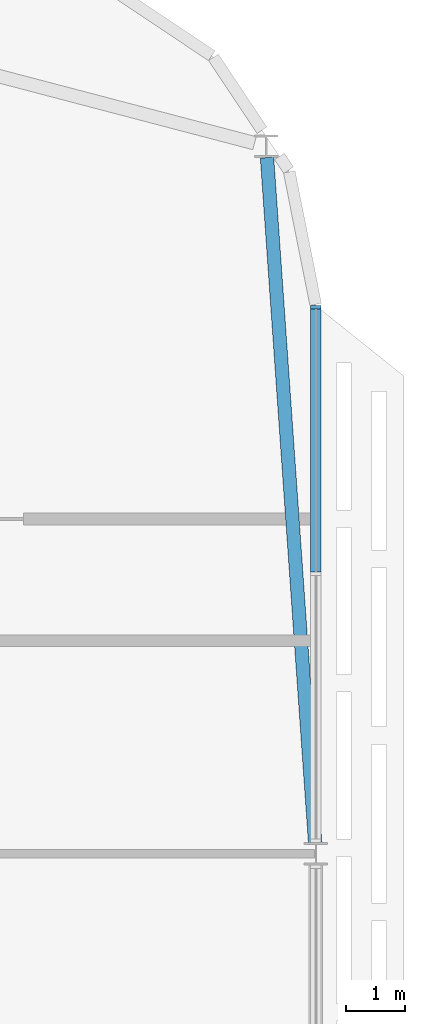
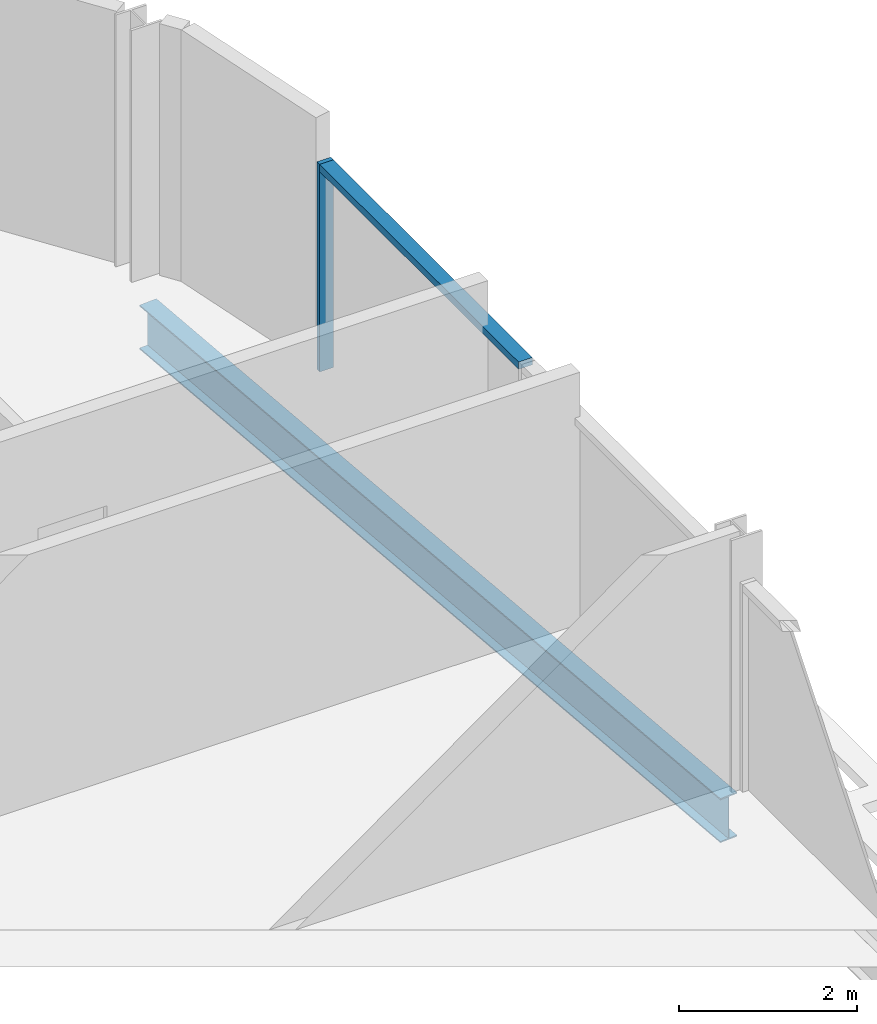
# One storey, part 15 of 35: 2 members, 1 beam, 1 element without a shape of its own.
"""IFC4 building model written with IfcOpenShell, lengths in metres."""

from ifc_helpers import new_model, si_unit, direction, frame, origin, origin_2d, place, context, subcontext, project, spatial, rectangle, i_section, extrude, material, material_profile, profile_set, type_object, element, aggregate, save


model = new_model("IFC4")

# Units and contexts
model_context = context("Model", 3, precision=1e-05, world=origin(), true_north=direction((0.0, 1.0)))
body_context = subcontext(model_context, "Body", "Model", "MODEL_VIEW")
ifc_project = project(units=[si_unit("LENGTHUNIT", "METRE"), si_unit("AREAUNIT", "SQUARE_METRE"), si_unit("VOLUMEUNIT", "CUBIC_METRE"), si_unit("PLANEANGLEUNIT", "RADIAN"), si_unit("MASSUNIT", "GRAM", prefix="KILO")], contexts=[model_context])

# Site, building, storey
site_placement = place(None, origin())
site = spatial("IfcSite", under=ifc_project, at=site_placement, CompositionType="ELEMENT")
building_placement = place(site_placement, origin())
building = spatial("IfcBuilding", under=site, at=building_placement, Name="Mahtab Terrace Research Tower", CompositionType="ELEMENT")
storey_placement = place(building_placement, frame((0.0, 0.0, 251.39990234375)))
storey = spatial("IfcBuildingStorey", under=building, at=storey_placement, Name="L61", CompositionType="ELEMENT", Elevation=251.39990234375)

# Curtain wall, members
ifc_material_1 = material(Name="Office ribbon curtain wall")
curtain_wall_type = type_object("IfcCurtainWallType", Name="Office ribbon curtain wall", PredefinedType="NOTDEFINED", material=ifc_material_1)
curtain_wall_placement = place(storey_placement, origin())
curtain_wall = element("IfcCurtainWall", 1, at=curtain_wall_placement, inside=storey, type_object=curtain_wall_type, Name="EN.L61.18.25", PredefinedType="NOTDEFINED")
ifc_material_2 = material(Name="Natural anodised aluminium", Category="aluminium")
ifc_material_profile_1 = material_profile(ifc_material_2, rectangle(XDim=0.179931640625, YDim=0.06005859375, at=origin_2d()), Name="MULLION 60x180")
ifc_profile_set_1 = profile_set([ifc_material_profile_1], Name="Natural anodised aluminium")
member_type_1 = type_object("IfcMemberType", Name="Office ribbon curtain wall mullion", PredefinedType="MULLION", material=ifc_profile_set_1)
member_1_placement = place(storey_placement, frame((54.0, 20.803955078125, 0.0), z_axis=(0.0, 0.0, 1.0), x_axis=(-1.0, 0.0, 0.0)))
member_1 = element("IfcMember", 2, at=member_1_placement, type_object=member_type_1, Name="CWO-7 mullion 3", PredefinedType="MULLION", context=body_context, shape_type="SweptSolid", body=[
    extrude(rectangle(XDim=0.179931640625, YDim=0.06005859375, at=origin_2d()), origin(), (0.0, 0.0, 1.0), 2.85302734375),
])
ifc_material_profile_2 = material_profile(ifc_material_2, rectangle(XDim=0.179931640625, YDim=0.10009765625, at=origin_2d()), Name="TRANSOM 100x180")
ifc_profile_set_2 = profile_set([ifc_material_profile_2], Name="Natural anodised aluminium")
member_type_2 = type_object("IfcMemberType", Name="Office ribbon curtain wall transom", PredefinedType="USERDEFINED", material=ifc_profile_set_2)
member_2_placement = place(storey_placement, frame((54.0, 16.29345703125, 2.802978515625), z_axis=(0.0, 1.0, 0.0), x_axis=(-1.0, 0.0, 0.0)))
member_2 = element("IfcMember", 3, at=member_2_placement, type_object=member_type_2, Name="CWO-7 transom 2", ObjectType="TRANSOM", PredefinedType="USERDEFINED", context=body_context, shape_type="SweptSolid", body=[
    extrude(rectangle(XDim=0.179931640625, YDim=0.10009765625, at=origin_2d()), origin(), (0.0, 0.0, 1.0), 4.48046875),
])
aggregate(curtain_wall, [member_1, member_2])

# Beam
ifc_material_3 = material(Name="Steel ASTM A992 Gr 50", Category="steel")
ifc_material_profile_3 = material_profile(ifc_material_3, i_section(OverallWidth=0.228271484375, OverallDepth=0.607177734375, WebThickness=0.01123046875, FlangeThickness=0.017333984375, at=origin_2d()), Name="W24X76")
ifc_profile_set_3 = profile_set([ifc_material_profile_3], Name="Steel ASTM A992 Gr 50")
beam_type = type_object("IfcBeamType", Name="W24x76 beam BS2476", PredefinedType="BEAM", material=ifc_profile_set_3)
beam_placement = place(storey_placement, frame((53.986328125, 11.693115234375, -0.6435546875), z_axis=(-0.070055060722, 0.997543126119, 0.0), x_axis=(-0.997543126119, -0.070055060722, 0.0)))
element("IfcBeam", 4, at=beam_placement, inside=storey, type_object=beam_type, Name="Spandrel beam L61 22", PredefinedType="BEAM", context=body_context, shape_type="SweptSolid", body=[
    extrude(i_section(OverallWidth=0.228271484375, OverallDepth=0.607177734375, WebThickness=0.01123046875, FlangeThickness=0.017333984375, at=origin_2d()), origin(), (0.0, 0.0, 1.0), 11.688720703125),
])

save(model, "model.ifc")
